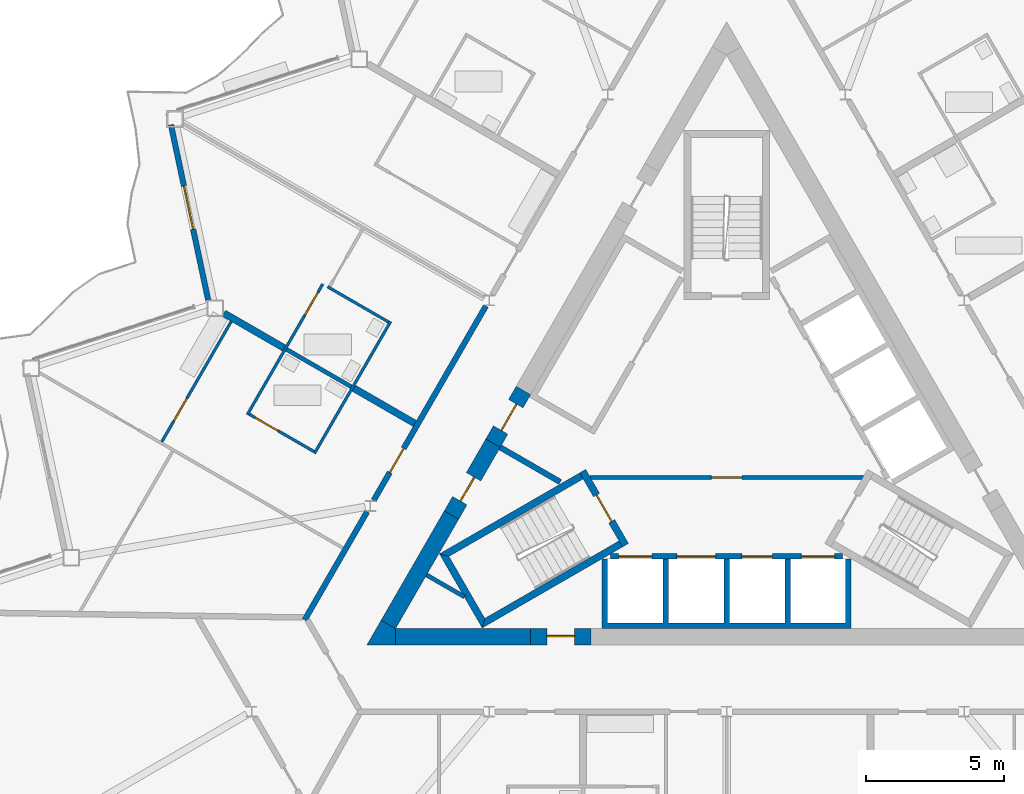
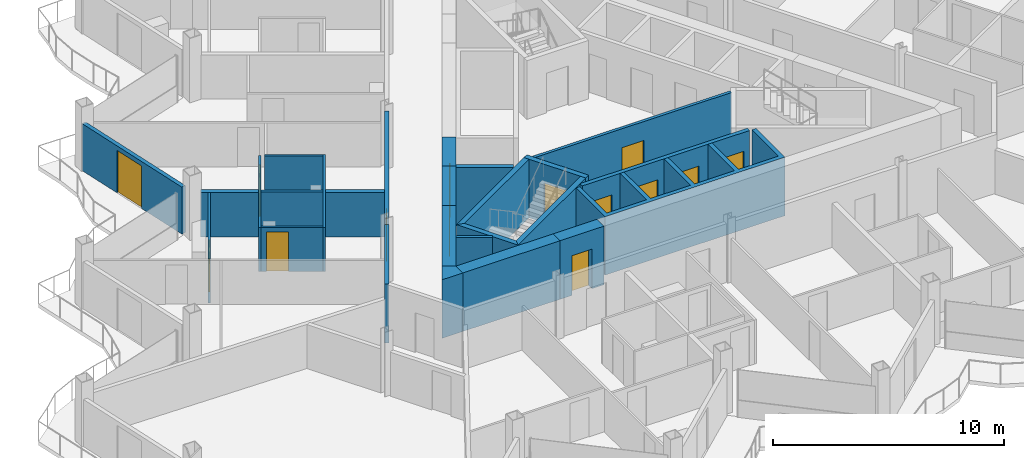
# One storey, part 14 of 26: 26 walls, 14 doors, 14 openings.
"""IFC4 building model written with IfcOpenShell, lengths in metres."""

from ifc_helpers import new_model, si_unit, direction, frame, frame_2d, origin, place, context, subcontext, project, spatial, polyline, rectangle, outline, extrude, material, layer, layer_set, type_object, element, fill, save


model = new_model("IFC4")

# Units and contexts
model_context = context("Model", 3, precision=1e-05, world=origin(), true_north=direction((0.0, 1.0)))
body_context = subcontext(model_context, "Body", "Model", "MODEL_VIEW")
ifc_project = project(units=[si_unit("LENGTHUNIT", "METRE"), si_unit("AREAUNIT", "SQUARE_METRE"), si_unit("VOLUMEUNIT", "CUBIC_METRE"), si_unit("PLANEANGLEUNIT", "RADIAN"), si_unit("MASSUNIT", "GRAM", prefix="KILO")], contexts=[model_context])

# Site, building, storey
site_placement = place(None, origin())
site = spatial("IfcSite", under=ifc_project, at=site_placement, CompositionType="ELEMENT")
building_placement = place(site_placement, origin())
building = spatial("IfcBuilding", under=site, at=building_placement, Name="Cormorant Prow Tower", CompositionType="ELEMENT")
storey_placement = place(building_placement, frame((0.0, 0.0, 329.0)))
storey = spatial("IfcBuildingStorey", under=building, at=storey_placement, Name="L73", CompositionType="ELEMENT", Elevation=329.0)

# Wall, opening, door
ifc_material_1 = material(Name="Gypsum board partition")
ifc_layer_1 = layer(ifc_material_1, 0.14990234375)
ifc_layer_set_1 = layer_set([ifc_layer_1], Name="Gypsum board partition")
wall_type_1 = type_object("IfcWallType", Name="Core partition 150", PredefinedType="PARTITIONING", material=ifc_layer_set_1)
wall_1_placement = place(storey_placement, frame((-4.941162109375, -1.449951171875, 0.0), z_axis=(0.0, 0.0, 1.0), x_axis=(1.0, 0.0, 0.0)))
wall_1 = element("IfcWall", 1, at=wall_1_placement, inside=storey, type_object=wall_type_1, Name="Firefighting lobby partition", PredefinedType="PARTITIONING", context=body_context, shape_type="SweptSolid", body=[
    extrude(rectangle(XDim=9.88232421875, YDim=0.14990234375, at=frame_2d((4.941162109375, 0.0))), origin(), (0.0, 0.0, 1.0), 3.10009765625),
])
opening_1_placement = place(wall_1_placement, frame((4.39111328125, 0.0, 0.0)))
opening_1 = element("IfcOpeningElement", 2, at=opening_1_placement, cuts=wall_1, Name="Opening L73-C10", PredefinedType="OPENING", context=body_context, shape_type="SweptSolid", body=[
    extrude(rectangle(XDim=1.10009765625, YDim=2.10009765625, at=frame_2d((0.550048828125, 1.050048828125))), frame((0.0, 0.0849609375, 0.0), z_axis=(0.0, -1.0, 0.0), x_axis=(1.0, 0.0, 0.0)), (0.0, 0.0, 1.0), 0.169921875),
])
ifc_material_2 = material(Name="Painted steel", Category="steel")
door_type_1 = type_object("IfcDoorType", Name="Firefighting lobby door 1100x2100", OperationType="NOTDEFINED", PredefinedType="DOOR", material=ifc_material_2)
door_1_placement = place(opening_1_placement, origin())
door_1 = element("IfcDoor", 3, at=door_1_placement, inside=storey, type_object=door_type_1, Name="Firefighting lobby door", OperationType="SINGLE_SWING_LEFT", OverallHeight=2.10009765625, OverallWidth=1.10009765625, PredefinedType="DOOR", context=body_context, shape_type="SweptSolid", body=[
    extrude(rectangle(XDim=1.10009765625, YDim=2.10009765625, at=frame_2d((0.550048828125, 1.050048828125))), frame((0.0, 0.02490234375, 0.0), z_axis=(0.0, -1.0, 0.0), x_axis=(1.0, 0.0, 0.0)), (0.0, 0.0, 1.0), 0.050048828125),
])
fill(opening_1, door_1)

# Walls
wall_2_placement = place(storey_placement, frame((-10.841796875, -4.96728515625, 0.0), z_axis=(0.0, 0.0, 1.0), x_axis=(0.866098216386, -0.499873863663, 0.0)))
element("IfcWall", 4, at=wall_2_placement, inside=storey, type_object=wall_type_1, Name="Service room partition", PredefinedType="PARTITIONING", context=body_context, shape_type="SweptSolid", body=[
    extrude(rectangle(XDim=1.58203125, YDim=0.14990234375, at=frame_2d((0.791015625, 0.0))), origin(), (0.0, 0.0, 1.0), 3.10009765625),
])
ifc_material_3 = material(Name="Concrete 8000 psi", Category="concrete")
ifc_layer_2 = layer(ifc_material_3, 0.60009765625)
ifc_layer_set_2 = layer_set([ifc_layer_2], Name="Concrete 8000 psi")
wall_type_2 = type_object("IfcWallType", Name="Core shear wall 600", PredefinedType="SHEAR", material=ifc_layer_set_2)
wall_3_placement = place(storey_placement, frame((-11.960693359375, -7.20556640625, 0.0), z_axis=(0.0, 0.0, 1.0), x_axis=(1.0, 0.0, 0.0)))
element("IfcWall", 5, at=wall_3_placement, inside=storey, type_object=wall_type_2, Name="Core wall", PredefinedType="SHEAR", context=body_context, shape_type="SweptSolid", body=[
    extrude(rectangle(XDim=4.868408203125, YDim=0.60009765625, at=frame_2d((2.43408203125, 0.0))), origin(), (0.0, 0.0, 1.0), 3.10009765625),
])
wall_4_placement = place(storey_placement, frame((-9.94091796875, -2.80712890625, 0.0), z_axis=(0.0, 0.0, 1.0), x_axis=(-0.500020646047, -0.866013483456, 0.0)))
element("IfcWall", 6, at=wall_4_placement, inside=storey, type_object=wall_type_2, Name="Core wall", PredefinedType="SHEAR", context=body_context, shape_type="SweptSolid", body=[
    extrude(rectangle(XDim=4.559326171875, YDim=0.60009765625, at=frame_2d((2.27978515625, 0.0))), origin(), (0.0, 0.0, 1.0), 3.10009765625),
])
wall_5_placement = place(storey_placement, origin())
element("IfcWall", 7, at=wall_5_placement, inside=storey, type_object=wall_type_2, Name="Core wall corner", PredefinedType="SHEAR", context=body_context, shape_type="SweptSolid", body=[
    extrude(outline(polyline([(-12.48046875, -6.605712890625), (-11.960693359375, -6.905517578125), (-11.960693359375, -7.505615234375), (-13.0, -7.505615234375), (-12.48046875, -6.605712890625)])), origin(), (0.0, 0.0, 1.0), 3.10009765625),
])

# Wall, opening, door
wall_6_placement = place(storey_placement, frame((-7.09228515625, -7.20556640625, 0.0), z_axis=(0.0, 0.0, 1.0), x_axis=(1.0, 0.0, 0.0)))
wall_6 = element("IfcWall", 8, at=wall_6_placement, inside=storey, type_object=wall_type_2, Name="Core wall door panel", PredefinedType="SHEAR", context=body_context, shape_type="SweptSolid", body=[
    extrude(rectangle(XDim=2.2001953125, YDim=0.60009765625, at=frame_2d((1.10009765625, 0.0))), origin(), (0.0, 0.0, 1.0), 3.10009765625),
])
opening_2_placement = place(wall_6_placement, frame((0.60009765625, 0.0, 0.0)))
opening_2 = element("IfcOpeningElement", 9, at=opening_2_placement, cuts=wall_6, Name="Opening L73-C14", PredefinedType="OPENING", context=body_context, shape_type="SweptSolid", body=[
    extrude(rectangle(XDim=1.0, YDim=2.10009765625, at=frame_2d((0.5, 1.050048828125))), frame((0.0, 0.31005859375, 0.0), z_axis=(0.0, -1.0, 0.0), x_axis=(1.0, 0.0, 0.0)), (0.0, 0.0, 1.0), 0.6201171875),
])
ifc_material_4 = material(Name="Painted steel", Category="steel")
door_type_2 = type_object("IfcDoorType", Name="Service door 1000x2100", OperationType="NOTDEFINED", PredefinedType="DOOR", material=ifc_material_4)
door_2_placement = place(opening_2_placement, origin())
door_2 = element("IfcDoor", 10, at=door_2_placement, inside=storey, type_object=door_type_2, Name="Core door, Housekeeping store", OperationType="SINGLE_SWING_LEFT", OverallHeight=2.10009765625, OverallWidth=1.0, PredefinedType="DOOR", context=body_context, shape_type="SweptSolid", body=[
    extrude(rectangle(XDim=1.0, YDim=2.10009765625, at=frame_2d((0.5, 1.050048828125))), frame((0.0, 0.05517578125, 0.0), z_axis=(0.0, -1.0, 0.0), x_axis=(1.0, 0.0, 0.0)), (0.0, 0.0, 1.0), 0.050048828125),
])
fill(opening_2, door_2)

wall_7_placement = place(storey_placement, frame((-8.440185546875, -0.207763671875, 0.0), z_axis=(0.0, 0.0, 1.0), x_axis=(-0.499997052475, -0.866027105532, 0.0)))
wall_7 = element("IfcWall", 11, at=wall_7_placement, inside=storey, type_object=wall_type_2, Name="Core wall door panel", PredefinedType="SHEAR", context=body_context, shape_type="SweptSolid", body=[
    extrude(rectangle(XDim=3.00146484375, YDim=0.60009765625, at=frame_2d((1.500732421875, 0.0))), origin(), (0.0, 0.0, 1.0), 3.10009765625),
])
opening_3_placement = place(wall_7_placement, frame((1.39990234375, 0.0, 0.0)))
opening_3 = element("IfcOpeningElement", 12, at=opening_3_placement, cuts=wall_7, Name="Opening L73-C16", PredefinedType="OPENING", context=body_context, shape_type="SweptSolid", body=[
    extrude(rectangle(XDim=1.0, YDim=2.10009765625, at=frame_2d((0.5, 1.050048828125))), frame((0.0, 0.31005859375, 0.0), z_axis=(0.0, -1.0, 0.0), x_axis=(1.0, 0.0, 0.0)), (0.0, 0.0, 1.0), 0.6201171875),
])
door_3_placement = place(opening_3_placement, origin())
door_3 = element("IfcDoor", 13, at=door_3_placement, inside=storey, type_object=door_type_2, Name="Core door, Linen store", OperationType="SINGLE_SWING_RIGHT", OverallHeight=2.10009765625, OverallWidth=1.0, PredefinedType="DOOR", context=body_context, shape_type="SweptSolid", body=[
    extrude(rectangle(XDim=1.0, YDim=2.10009765625, at=frame_2d((0.5, 1.050048828125))), frame((0.0, 0.05517578125, 0.0), z_axis=(0.0, -1.0, 0.0), x_axis=(1.0, 0.0, 0.0)), (0.0, 0.0, 1.0), 0.050048828125),
])
fill(opening_3, door_3)

wall_8_placement = place(storey_placement, frame((-7.340087890625, 1.697509765625, 0.0), z_axis=(0.0, 0.0, 1.0), x_axis=(-0.50002983664, -0.866008176907, 0.0)))
wall_8 = element("IfcWall", 14, at=wall_8_placement, inside=storey, type_object=wall_type_2, Name="Core wall door panel", PredefinedType="SHEAR", context=body_context, shape_type="SweptSolid", body=[
    extrude(rectangle(XDim=2.199951171875, YDim=0.60009765625, at=frame_2d((1.10009765625, 0.0))), origin(), (0.0, 0.0, 1.0), 3.10009765625),
])
opening_4_placement = place(wall_8_placement, frame((0.550048828125, 0.0, 0.0)))
opening_4 = element("IfcOpeningElement", 15, at=opening_4_placement, cuts=wall_8, Name="Opening L73-C18", PredefinedType="OPENING", context=body_context, shape_type="SweptSolid", body=[
    extrude(rectangle(XDim=1.10009765625, YDim=2.10009765625, at=frame_2d((0.550048828125, 1.050048828125))), frame((0.0, 0.31005859375, 0.0), z_axis=(0.0, -1.0, 0.0), x_axis=(1.0, 0.0, 0.0)), (0.0, 0.0, 1.0), 0.6201171875),
])
ifc_material_5 = material(Name="Painted steel", Category="steel")
door_type_3 = type_object("IfcDoorType", Name="Core door 1100x2100", OperationType="NOTDEFINED", PredefinedType="DOOR", material=ifc_material_5)
door_4_placement = place(opening_4_placement, origin())
door_4 = element("IfcDoor", 16, at=door_4_placement, inside=storey, type_object=door_type_3, Name="Core door, lift lobby", OperationType="SINGLE_SWING_RIGHT", OverallHeight=2.10009765625, OverallWidth=1.10009765625, PredefinedType="DOOR", context=body_context, shape_type="SweptSolid", body=[
    extrude(rectangle(XDim=1.10009765625, YDim=2.10009765625, at=frame_2d((0.550048828125, 1.050048828125))), frame((0.0, 0.05517578125, 0.0), z_axis=(0.0, -1.0, 0.0), x_axis=(1.0, 0.0, 0.0)), (0.0, 0.0, 1.0), 0.050048828125),
])
fill(opening_4, door_4)

ifc_material_6 = material(Name="Gypsum board corridor wall")
ifc_layer_3 = layer(ifc_material_6, 0.199951171875)
ifc_layer_set_3 = layer_set([ifc_layer_3], Name="Gypsum board corridor wall")
wall_type_3 = type_object("IfcWallType", Name="Corridor wall 200", PredefinedType="PARTITIONING", material=ifc_layer_set_3)
wall_9_placement = place(storey_placement, frame((-12.747802734375, -2.268798828125, 0.0), z_axis=(0.0, 0.0, 1.0), x_axis=(0.499984266882, 0.866034487114, 0.0)))
wall_9 = element("IfcWall", 17, at=wall_9_placement, inside=storey, type_object=wall_type_3, Name="Corridor wall", PredefinedType="PARTITIONING", context=body_context, shape_type="SweptSolid", body=[
    extrude(rectangle(XDim=8.098876953125, YDim=0.199951171875, at=frame_2d((4.04931640625, 0.0))), origin(), (0.0, 0.0, 1.0), 3.10009765625),
])
opening_5_placement = place(wall_9_placement, frame((1.16357421875, 0.0, 0.0)))
opening_5 = element("IfcOpeningElement", 18, at=opening_5_placement, cuts=wall_9, Name="Opening L73-F49", PredefinedType="OPENING", context=body_context, shape_type="SweptSolid", body=[
    extrude(rectangle(XDim=1.0, YDim=2.10009765625, at=frame_2d((0.5, 1.050048828125))), frame((0.0, 0.10986328125, 0.0), z_axis=(0.0, -1.0, 0.0), x_axis=(1.0, 0.0, 0.0)), (0.0, 0.0, 1.0), 0.219970703125),
])
ifc_material_7 = material(Name="Timber door leaf", Category="wood")
door_type_4 = type_object("IfcDoorType", Name="Flat or room entrance door 1000x2100", OperationType="NOTDEFINED", PredefinedType="DOOR", material=ifc_material_7)
door_5_placement = place(opening_5_placement, origin())
door_5 = element("IfcDoor", 19, at=door_5_placement, inside=storey, type_object=door_type_4, Name="Living room door", OperationType="SINGLE_SWING_RIGHT", OverallHeight=2.10009765625, OverallWidth=1.0, PredefinedType="DOOR", context=body_context, shape_type="SweptSolid", body=[
    extrude(rectangle(XDim=1.0, YDim=2.10009765625, at=frame_2d((0.5, 1.050048828125))), frame((0.0, 0.02490234375, 0.0), z_axis=(0.0, -1.0, 0.0), x_axis=(1.0, 0.0, 0.0)), (0.0, 0.0, 1.0), 0.050048828125),
])
fill(opening_5, door_5)

# Wall
wall_10_placement = place(storey_placement, frame((-15.243896484375, -6.59228515625, 0.0), z_axis=(0.0, 0.0, 1.0), x_axis=(0.49999094734, 0.866030630277, 0.0)))
element("IfcWall", 20, at=wall_10_placement, inside=storey, type_object=wall_type_3, Name="Corridor wall", PredefinedType="PARTITIONING", context=body_context, shape_type="SweptSolid", body=[
    extrude(rectangle(XDim=4.5126953125, YDim=0.199951171875, at=frame_2d((2.25634765625, 0.0))), origin(), (0.0, 0.0, 1.0), 3.10009765625),
])

# Wall, opening, door
ifc_material_8 = material(Name="Gypsum board partition")
ifc_layer_4 = layer(ifc_material_8, 0.10009765625)
ifc_layer_set_4 = layer_set([ifc_layer_4], Name="Gypsum board partition")
wall_type_4 = type_object("IfcWallType", Name="Internal partition 100", PredefinedType="PARTITIONING", material=ifc_layer_set_4)
wall_11_placement = place(storey_placement, frame((-17.31396484375, 0.822509765625, 0.0), z_axis=(0.0, 0.0, 1.0), x_axis=(0.499988730927, 0.866031909889, 0.0)))
wall_11 = element("IfcWall", 21, at=wall_11_placement, inside=storey, type_object=wall_type_4, Name="Internal partition", PredefinedType="PARTITIONING", context=body_context, shape_type="SweptSolid", body=[
    extrude(rectangle(XDim=5.449951171875, YDim=0.10009765625, at=frame_2d((2.72509765625, 0.0))), origin(), (0.0, 0.0, 1.0), 2.330078125),
])
opening_6_placement = place(wall_11_placement, frame((4.14990234375, 0.0, 0.0)))
opening_6 = element("IfcOpeningElement", 22, at=opening_6_placement, cuts=wall_11, Name="Opening L73-F48", PredefinedType="OPENING", context=body_context, shape_type="SweptSolid", body=[
    extrude(rectangle(XDim=0.949951171875, YDim=2.10009765625, at=frame_2d((0.47509765625, 1.050048828125))), frame((0.0, 0.06005859375, 0.0), z_axis=(0.0, -1.0, 0.0), x_axis=(1.0, 0.0, 0.0)), (0.0, 0.0, 1.0), 0.1201171875),
])
ifc_material_9 = material(Name="Timber door leaf", Category="wood")
door_type_5 = type_object("IfcDoorType", Name="Bathroom door 950x2100", OperationType="NOTDEFINED", PredefinedType="DOOR", material=ifc_material_9)
door_6_placement = place(opening_6_placement, origin())
door_6 = element("IfcDoor", 23, at=door_6_placement, inside=storey, type_object=door_type_5, Name="Bedroom door", OperationType="SINGLE_SWING_RIGHT", OverallHeight=2.10009765625, OverallWidth=0.949951171875, PredefinedType="DOOR", context=body_context, shape_type="SweptSolid", body=[
    extrude(rectangle(XDim=0.949951171875, YDim=2.10009765625, at=frame_2d((0.47509765625, 1.050048828125))), frame((0.0, 0.02490234375, 0.0), z_axis=(0.0, -1.0, 0.0), x_axis=(1.0, 0.0, 0.0)), (0.0, 0.0, 1.0), 0.050048828125),
])
fill(opening_6, door_6)

# Wall
wall_12_placement = place(storey_placement, frame((-14.88916015625, -0.577392578125, 0.0), z_axis=(0.0, 0.0, 1.0), x_axis=(0.500015767406, 0.866016300277, 0.0)))
element("IfcWall", 24, at=wall_12_placement, inside=storey, type_object=wall_type_4, Name="Internal partition", PredefinedType="PARTITIONING", context=body_context, shape_type="SweptSolid", body=[
    extrude(rectangle(XDim=5.499755859375, YDim=0.10009765625, at=frame_2d((2.75, 0.0))), origin(), (0.0, 0.0, 1.0), 2.330078125),
])

# Wall, opening, door
wall_13_placement = place(storey_placement, frame((-20.404541015625, -0.158203125, 0.0), z_axis=(0.0, 0.0, 1.0), x_axis=(0.499989096993, 0.866031698547, 0.0)))
wall_13 = element("IfcWall", 25, at=wall_13_placement, inside=storey, type_object=wall_type_4, Name="Internal partition", PredefinedType="PARTITIONING", context=body_context, shape_type="SweptSolid", body=[
    extrude(rectangle(XDim=5.01953125, YDim=0.10009765625, at=frame_2d((2.509765625, 0.0))), origin(), (0.0, 0.0, 1.0), 2.330078125),
])
opening_7_placement = place(wall_13_placement, frame((0.862060546875, 0.0, 0.0)))
opening_7 = element("IfcOpeningElement", 26, at=opening_7_placement, cuts=wall_13, Name="Opening L73-F51", PredefinedType="OPENING", context=body_context, shape_type="SweptSolid", body=[
    extrude(rectangle(XDim=0.949951171875, YDim=2.10009765625, at=frame_2d((0.47509765625, 1.050048828125))), frame((0.0, 0.06005859375, 0.0), z_axis=(0.0, -1.0, 0.0), x_axis=(1.0, 0.0, 0.0)), (0.0, 0.0, 1.0), 0.1201171875),
])
door_7_placement = place(opening_7_placement, origin())
door_7 = element("IfcDoor", 27, at=door_7_placement, inside=storey, type_object=door_type_5, Name="Living room door", OperationType="SINGLE_SWING_LEFT", OverallHeight=2.10009765625, OverallWidth=0.949951171875, PredefinedType="DOOR", context=body_context, shape_type="SweptSolid", body=[
    extrude(rectangle(XDim=0.949951171875, YDim=2.10009765625, at=frame_2d((0.47509765625, 1.050048828125))), frame((0.0, 0.02490234375, 0.0), z_axis=(0.0, -1.0, 0.0), x_axis=(1.0, 0.0, 0.0)), (0.0, 0.0, 1.0), 0.050048828125),
])
fill(opening_7, door_7)

wall_14_placement = place(storey_placement, frame((-17.24560546875, 0.8408203125, 0.0), z_axis=(0.0, 0.0, 1.0), x_axis=(0.86599734893, -0.500048589285, 0.0)))
wall_14 = element("IfcWall", 28, at=wall_14_placement, inside=storey, type_object=wall_type_4, Name="Internal partition", PredefinedType="PARTITIONING", context=body_context, shape_type="SweptSolid", body=[
    extrude(rectangle(XDim=2.699951171875, YDim=0.10009765625, at=frame_2d((1.35009765625, 0.0))), origin(), (0.0, 0.0, 1.0), 2.330078125),
])
opening_8_placement = place(wall_14_placement, frame((0.25, 0.0, 0.0)))
opening_8 = element("IfcOpeningElement", 29, at=opening_8_placement, cuts=wall_14, Name="Opening L73-F50", PredefinedType="OPENING", context=body_context, shape_type="SweptSolid", body=[
    extrude(rectangle(XDim=0.949951171875, YDim=2.10009765625, at=frame_2d((0.47509765625, 1.050048828125))), frame((0.0, 0.06005859375, 0.0), z_axis=(0.0, -1.0, 0.0), x_axis=(1.0, 0.0, 0.0)), (0.0, 0.0, 1.0), 0.1201171875),
])
door_8_placement = place(opening_8_placement, origin())
door_8 = element("IfcDoor", 30, at=door_8_placement, inside=storey, type_object=door_type_5, Name="Living room door", OperationType="SINGLE_SWING_LEFT", OverallHeight=2.10009765625, OverallWidth=0.949951171875, PredefinedType="DOOR", context=body_context, shape_type="SweptSolid", body=[
    extrude(rectangle(XDim=0.949951171875, YDim=2.10009765625, at=frame_2d((0.47509765625, 1.050048828125))), frame((0.0, 0.02490234375, 0.0), z_axis=(0.0, -1.0, 0.0), x_axis=(1.0, 0.0, 0.0)), (0.0, 0.0, 1.0), 0.050048828125),
])
fill(opening_8, door_8)

# Wall
wall_15_placement = place(storey_placement, frame((-14.41748046875, 5.443359375, 0.0), z_axis=(0.0, 0.0, 1.0), x_axis=(0.865991210529, -0.500059219779, 0.0)))
element("IfcWall", 31, at=wall_15_placement, inside=storey, type_object=wall_type_4, Name="Internal partition", PredefinedType="PARTITIONING", context=body_context, shape_type="SweptSolid", body=[
    extrude(rectangle(XDim=2.552001953125, YDim=0.10009765625, at=frame_2d((1.27587890625, 0.0))), origin(), (0.0, 0.0, 1.0), 2.330078125),
])

# Wall, openings, doors
ifc_material_10 = material(Name="Concrete 5000 psi", Category="concrete")
ifc_layer_5 = layer(ifc_material_10, 0.199951171875)
ifc_layer_set_5 = layer_set([ifc_layer_5], Name="Concrete 5000 psi")
wall_type_5 = type_object("IfcWallType", Name="Lift lobby wall 200", PredefinedType="SOLIDWALL", material=ifc_layer_set_5)
wall_16_placement = place(storey_placement, frame((-4.1865234375, -4.300048828125, 0.0), z_axis=(0.0, 0.0, 1.0), x_axis=(1.0, 0.0, 0.0)))
wall_16 = element("IfcWall", 32, at=wall_16_placement, inside=storey, type_object=wall_type_5, Name="Lift lobby wall, S block", PredefinedType="SOLIDWALL", context=body_context, shape_type="SweptSolid", body=[
    extrude(rectangle(XDim=8.373046875, YDim=0.199951171875, at=frame_2d((4.1865234375, 0.0))), origin(), (0.0, 0.0, 1.0), 3.10009765625),
])
opening_9_placement = place(wall_16_placement, frame((0.28662109375, 0.0, 0.0)))
opening_9 = element("IfcOpeningElement", 33, at=opening_9_placement, cuts=wall_16, Name="Opening L73-C01", PredefinedType="OPENING", context=body_context, shape_type="SweptSolid", body=[
    extrude(rectangle(XDim=1.199951171875, YDim=2.10009765625, at=frame_2d((0.60009765625, 1.050048828125))), frame((0.0, 0.10986328125, 0.0), z_axis=(0.0, -1.0, 0.0), x_axis=(1.0, 0.0, 0.0)), (0.0, 0.0, 1.0), 0.219970703125),
])
opening_10_placement = place(wall_16_placement, frame((2.38671875, 0.0, 0.0)))
opening_10 = element("IfcOpeningElement", 34, at=opening_10_placement, cuts=wall_16, Name="Opening L73-C02", PredefinedType="OPENING", context=body_context, shape_type="SweptSolid", body=[
    extrude(rectangle(XDim=1.39990234375, YDim=2.10009765625, at=frame_2d((0.699951171875, 1.050048828125))), frame((0.0, 0.10986328125, 0.0), z_axis=(0.0, -1.0, 0.0), x_axis=(1.0, 0.0, 0.0)), (0.0, 0.0, 1.0), 0.219970703125),
])
opening_11_placement = place(wall_16_placement, frame((4.736572265625, 0.0, 0.0)))
opening_11 = element("IfcOpeningElement", 35, at=opening_11_placement, cuts=wall_16, Name="Opening L73-C03", PredefinedType="OPENING", context=body_context, shape_type="SweptSolid", body=[
    extrude(rectangle(XDim=1.10009765625, YDim=2.10009765625, at=frame_2d((0.550048828125, 1.050048828125))), frame((0.0, 0.10986328125, 0.0), z_axis=(0.0, -1.0, 0.0), x_axis=(1.0, 0.0, 0.0)), (0.0, 0.0, 1.0), 0.219970703125),
])
opening_12_placement = place(wall_16_placement, frame((6.88671875, 0.0, 0.0)))
opening_12 = element("IfcOpeningElement", 36, at=opening_12_placement, cuts=wall_16, Name="Opening L73-C04", PredefinedType="OPENING", context=body_context, shape_type="SweptSolid", body=[
    extrude(rectangle(XDim=1.199951171875, YDim=2.10009765625, at=frame_2d((0.60009765625, 1.050048828125))), frame((0.0, 0.10986328125, 0.0), z_axis=(0.0, -1.0, 0.0), x_axis=(1.0, 0.0, 0.0)), (0.0, 0.0, 1.0), 0.219970703125),
])
ifc_material_11 = material(Name="Painted steel", Category="steel")
door_type_6 = type_object("IfcDoorType", Name="Firefighting lift landing door 1200x2100", OperationType="SLIDING_TO_LEFT", PredefinedType="DOOR", material=ifc_material_11)
door_9_placement = place(opening_9_placement, origin())
door_9 = element("IfcDoor", 37, at=door_9_placement, inside=storey, type_object=door_type_6, Name="Landing door FL1", OperationType="SLIDING_TO_LEFT", OverallHeight=2.10009765625, OverallWidth=1.199951171875, PredefinedType="DOOR", context=body_context, shape_type="SweptSolid", body=[
    extrude(rectangle(XDim=1.199951171875, YDim=2.10009765625, at=frame_2d((0.60009765625, 1.050048828125))), frame((0.0, 0.02490234375, 0.0), z_axis=(0.0, -1.0, 0.0), x_axis=(1.0, 0.0, 0.0)), (0.0, 0.0, 1.0), 0.050048828125),
])
fill(opening_9, door_9)
door_10_placement = place(opening_12_placement, origin())
door_10 = element("IfcDoor", 38, at=door_10_placement, inside=storey, type_object=door_type_6, Name="Landing door FL2", OperationType="SLIDING_TO_LEFT", OverallHeight=2.10009765625, OverallWidth=1.199951171875, PredefinedType="DOOR", context=body_context, shape_type="SweptSolid", body=[
    extrude(rectangle(XDim=1.199951171875, YDim=2.10009765625, at=frame_2d((0.60009765625, 1.050048828125))), frame((0.0, 0.02490234375, 0.0), z_axis=(0.0, -1.0, 0.0), x_axis=(1.0, 0.0, 0.0)), (0.0, 0.0, 1.0), 0.050048828125),
])
fill(opening_12, door_10)
ifc_material_12 = material(Name="Painted steel", Category="steel")
door_type_7 = type_object("IfcDoorType", Name="Lift landing door 1100x2100", OperationType="SLIDING_TO_LEFT", PredefinedType="DOOR", material=ifc_material_12)
door_11_placement = place(opening_11_placement, origin())
door_11 = element("IfcDoor", 39, at=door_11_placement, inside=storey, type_object=door_type_7, Name="Landing door HR1", OperationType="SLIDING_TO_LEFT", OverallHeight=2.10009765625, OverallWidth=1.10009765625, PredefinedType="DOOR", context=body_context, shape_type="SweptSolid", body=[
    extrude(rectangle(XDim=1.10009765625, YDim=2.10009765625, at=frame_2d((0.550048828125, 1.050048828125))), frame((0.0, 0.02490234375, 0.0), z_axis=(0.0, -1.0, 0.0), x_axis=(1.0, 0.0, 0.0)), (0.0, 0.0, 1.0), 0.050048828125),
])
fill(opening_11, door_11)
ifc_material_13 = material(Name="Painted steel", Category="steel")
door_type_8 = type_object("IfcDoorType", Name="Service lift landing door 1400x2100", OperationType="SLIDING_TO_LEFT", PredefinedType="DOOR", material=ifc_material_13)
door_12_placement = place(opening_10_placement, origin())
door_12 = element("IfcDoor", 40, at=door_12_placement, inside=storey, type_object=door_type_8, Name="Landing door SL1", OperationType="SLIDING_TO_LEFT", OverallHeight=2.10009765625, OverallWidth=1.39990234375, PredefinedType="DOOR", context=body_context, shape_type="SweptSolid", body=[
    extrude(rectangle(XDim=1.39990234375, YDim=2.10009765625, at=frame_2d((0.699951171875, 1.050048828125))), frame((0.0, 0.02490234375, 0.0), z_axis=(0.0, -1.0, 0.0), x_axis=(1.0, 0.0, 0.0)), (0.0, 0.0, 1.0), 0.050048828125),
])
fill(opening_10, door_12)

# Walls
ifc_material_14 = material(Name="Concrete 8000 psi", Category="concrete")
ifc_layer_6 = layer(ifc_material_14, 0.199951171875)
ifc_layer_set_6 = layer_set([ifc_layer_6], Name="Concrete 8000 psi")
wall_type_6 = type_object("IfcWallType", Name="Lift shaft wall 200", PredefinedType="SHEAR", material=ifc_layer_set_6)
wall_17_placement = place(storey_placement, origin())
element("IfcWall", 41, at=wall_17_placement, inside=storey, type_object=wall_type_6, Name="Lift shaft walls, S block", PredefinedType="SHEAR", context=body_context, shape_type="SweptSolid", body=[
    extrude(outline(polyline([(4.5, -4.39990234375), (4.5, -6.906005859375), (-4.5, -6.906005859375), (-4.5, -4.39990234375), (-4.300048828125, -4.39990234375), (-4.300048828125, -6.699951171875), (-2.300048828125, -6.699951171875), (-2.300048828125, -4.39990234375), (-2.10009765625, -4.39990234375), (-2.10009765625, -6.699951171875), (-0.10009765625, -6.699951171875), (-0.10009765625, -4.39990234375), (0.10009765625, -4.39990234375), (0.10009765625, -6.699951171875), (2.10009765625, -6.699951171875), (2.10009765625, -4.39990234375), (2.300048828125, -4.39990234375), (2.300048828125, -6.699951171875), (4.300048828125, -6.699951171875), (4.300048828125, -4.39990234375), (4.5, -4.39990234375)])), origin(), (0.0, 0.0, 1.0), 3.10009765625),
])
wall_18_placement = place(storey_placement, origin())
element("IfcWall", 42, at=wall_18_placement, inside=storey, type_object=wall_type_6, Name="Lift shaft walls, WNW block", PredefinedType="SHEAR", context=body_context, shape_type="SweptSolid", body=[
    extrude(outline(polyline([(-6.060546875, -1.697021484375), (-8.230712890625, -0.444091796875), (-8.130859375, -0.27099609375), (-5.96044921875, -1.52392578125), (-6.060546875, -1.697021484375)])), origin(), (0.0, 0.0, 1.0), 3.10009765625),
])
ifc_material_15 = material(Name="Concrete 8000 psi", Category="concrete")
ifc_layer_7 = layer(ifc_material_15, 0.25)
ifc_layer_set_7 = layer_set([ifc_layer_7], Name="Concrete 8000 psi")
wall_type_7 = type_object("IfcWallType", Name="Stair wall 250", PredefinedType="SHEAR", material=ifc_layer_set_7)
wall_19_placement = place(storey_placement, origin())
element("IfcWall", 43, at=wall_19_placement, inside=storey, type_object=wall_type_7, Name="Stair ST1 enclosure wall (flank)", PredefinedType="SHEAR", context=body_context, shape_type="SweptSolid", body=[
    extrude(outline(polyline([(-5.30712890625, -1.28125), (-10.37353515625, -4.206298828125), (-10.031982421875, -4.2978515625), (-5.18212890625, -1.497802734375), (-5.30712890625, -1.28125)])), origin(), (0.0, 0.0, 1.0), 3.10009765625),
])
wall_20_placement = place(storey_placement, origin())
element("IfcWall", 44, at=wall_20_placement, inside=storey, type_object=wall_type_7, Name="Stair ST1 enclosure wall (end)", PredefinedType="SHEAR", context=body_context, shape_type="SweptSolid", body=[
    extrude(outline(polyline([(-10.37353515625, -4.206298828125), (-8.82958984375, -6.880615234375), (-8.738037109375, -6.5390625), (-10.031982421875, -4.2978515625), (-10.37353515625, -4.206298828125)])), origin(), (0.0, 0.0, 1.0), 3.10009765625),
])
wall_21_placement = place(storey_placement, origin())
element("IfcWall", 45, at=wall_21_placement, inside=storey, type_object=wall_type_7, Name="Stair ST1 enclosure wall (flank)", PredefinedType="SHEAR", context=body_context, shape_type="SweptSolid", body=[
    extrude(outline(polyline([(-8.738037109375, -6.5390625), (-8.82958984375, -6.880615234375), (-3.76318359375, -3.95556640625), (-3.88818359375, -3.739013671875), (-8.738037109375, -6.5390625)])), origin(), (0.0, 0.0, 1.0), 3.10009765625),
])

# Wall, opening, door
wall_22_placement = place(storey_placement, frame((-5.198974609375, -1.21875, 0.0), z_axis=(0.0, 0.0, 1.0), x_axis=(0.499982516597, -0.866035497597, 0.0)))
wall_22 = element("IfcWall", 46, at=wall_22_placement, inside=storey, type_object=wall_type_7, Name="Stair ST1 door wall", PredefinedType="SHEAR", context=body_context, shape_type="SweptSolid", body=[
    extrude(rectangle(XDim=3.087890625, YDim=0.25, at=frame_2d((1.5439453125, 0.0))), origin(), (0.0, 0.0, 1.0), 3.10009765625),
])
opening_13_placement = place(wall_22_placement, frame((0.993896484375, 0.0, 0.0)))
opening_13 = element("IfcOpeningElement", 47, at=opening_13_placement, cuts=wall_22, Name="Opening L73-C11", PredefinedType="OPENING", context=body_context, shape_type="SweptSolid", body=[
    extrude(rectangle(XDim=1.10009765625, YDim=2.10009765625, at=frame_2d((0.550048828125, 1.050048828125))), frame((0.0, 0.135009765625, 0.0), z_axis=(0.0, -1.0, 0.0), x_axis=(1.0, 0.0, 0.0)), (0.0, 0.0, 1.0), 0.27001953125),
])
ifc_material_16 = material(Name="Painted steel", Category="steel")
door_type_9 = type_object("IfcDoorType", Name="Stair door 1100x2100", OperationType="NOTDEFINED", PredefinedType="DOOR", material=ifc_material_16)
door_13_placement = place(opening_13_placement, origin())
door_13 = element("IfcDoor", 48, at=door_13_placement, inside=storey, type_object=door_type_9, Name="Stair ST1 door", OperationType="SINGLE_SWING_LEFT", OverallHeight=2.10009765625, OverallWidth=1.10009765625, PredefinedType="DOOR", context=body_context, shape_type="SweptSolid", body=[
    extrude(rectangle(XDim=1.10009765625, YDim=2.10009765625, at=frame_2d((0.550048828125, 1.050048828125))), frame((0.0, 0.02490234375, 0.0), z_axis=(0.0, -1.0, 0.0), x_axis=(1.0, 0.0, 0.0)), (0.0, 0.0, 1.0), 0.050048828125),
])
fill(opening_13, door_13)

# Walls
ifc_material_17 = material(Name="Acoustic gypsum party wall")
ifc_layer_8 = layer(ifc_material_17, 0.25)
ifc_layer_set_8 = layer_set([ifc_layer_8], Name="Acoustic gypsum party wall")
wall_type_8 = type_object("IfcWallType", Name="Suite party wall 250", PredefinedType="PARTITIONING", material=ifc_layer_set_8)
wall_23_placement = place(storey_placement, frame((-13.470703125, 1.779052734375, 0.0), z_axis=(0.0, 0.0, 1.0), x_axis=(0.865989465428, -0.500062241894, 0.0)))
element("IfcWall", 49, at=wall_23_placement, inside=storey, type_object=wall_type_8, Name="Suite party wall", PredefinedType="PARTITIONING", context=body_context, shape_type="SweptSolid", body=[
    extrude(rectangle(XDim=2.550048828125, YDim=0.25, at=frame_2d((1.27490234375, 0.0))), origin(), (0.0, 0.0, 1.0), 2.330078125),
])
wall_24_placement = place(storey_placement, frame((-18.160888671875, 4.48681640625, 0.0), z_axis=(0.0, 0.0, 1.0), x_axis=(0.866012646713, -0.500022095245, 0.0)))
element("IfcWall", 50, at=wall_24_placement, inside=storey, type_object=wall_type_8, Name="Suite party wall", PredefinedType="PARTITIONING", context=body_context, shape_type="SweptSolid", body=[
    extrude(rectangle(XDim=2.515625, YDim=0.25, at=frame_2d((1.2578125, 0.0))), origin(), (0.0, 0.0, 1.0), 2.330078125),
])

# Wall, opening, door
ifc_material_18 = material(Name="Terracotta", Category="masonry")
ifc_layer_9 = layer(ifc_material_18, 0.199951171875)
ifc_layer_set_9 = layer_set([ifc_layer_9], Name="Terracotta")
wall_type_9 = type_object("IfcWallType", Name="Terracotta jamb wall 200", PredefinedType="SOLIDWALL", material=ifc_layer_set_9)
wall_25_placement = place(storey_placement, frame((-20.072998046875, 11.2939453125, 0.0), z_axis=(0.0, 0.0, 1.0), x_axis=(0.207893978909, -0.978151365349, 0.0)))
wall_25 = element("IfcWall", 51, at=wall_25_placement, inside=storey, type_object=wall_type_9, Name="Terracotta jamb wall WNW05", PredefinedType="SOLIDWALL", context=body_context, shape_type="SweptSolid", body=[
    extrude(rectangle(XDim=6.466064453125, YDim=0.199951171875, at=frame_2d((3.23291015625, 0.0))), origin(), (0.0, 0.0, 1.0), 2.48779296875),
])
opening_14_placement = place(wall_25_placement, frame((2.260986328125, 0.0, 0.0)))
opening_14 = element("IfcOpeningElement", 52, at=opening_14_placement, cuts=wall_25, Name="Opening ED73.13", PredefinedType="OPENING", context=body_context, shape_type="SweptSolid", body=[
    extrude(rectangle(XDim=1.60009765625, YDim=2.25, at=frame_2d((0.800048828125, 1.125))), frame((0.0, 0.10986328125, 0.0), z_axis=(0.0, -1.0, 0.0), x_axis=(1.0, 0.0, 0.0)), (0.0, 0.0, 1.0), 0.219970703125),
])
ifc_material_19 = material(Name="Aluminium 6063-T6", Category="aluminium")
door_type_10 = type_object("IfcDoorType", Name="Balcony door 1600x2250", OperationType="DOUBLE_DOOR_SINGLE_SWING", PredefinedType="DOOR", material=ifc_material_19)
door_14_placement = place(opening_14_placement, origin())
door_14 = element("IfcDoor", 53, at=door_14_placement, inside=storey, type_object=door_type_10, Name="Balcony door WNW05 ED73.13", OperationType="DOUBLE_DOOR_SINGLE_SWING", OverallHeight=2.25, OverallWidth=1.60009765625, PredefinedType="DOOR", context=body_context, shape_type="SweptSolid", body=[
    extrude(rectangle(XDim=1.60009765625, YDim=2.25, at=frame_2d((0.800048828125, 1.125))), frame((0.0, 0.02490234375, 0.0), z_axis=(0.0, -1.0, 0.0), x_axis=(1.0, 0.0, 0.0)), (0.0, 0.0, 1.0), 0.050048828125),
])
fill(opening_14, door_14)

# Wall
ifc_material_20 = material(Name="Plasterboard wet wall with pipe chase")
ifc_layer_10 = layer(ifc_material_20, 0.14990234375)
ifc_layer_set_10 = layer_set([ifc_layer_10], Name="Plasterboard wet wall with pipe chase")
wall_type_10 = type_object("IfcWallType", Name="Wet wall 150", PredefinedType="PLUMBINGWALL", material=ifc_layer_set_10)
wall_26_placement = place(storey_placement, frame((-15.895751953125, 3.178955078125, 0.0), z_axis=(0.0, 0.0, 1.0), x_axis=(0.866059108428, -0.4999416173, 0.0)))
element("IfcWall", 54, at=wall_26_placement, inside=storey, type_object=wall_type_10, Name="Wet wall", PredefinedType="PLUMBINGWALL", context=body_context, shape_type="SweptSolid", body=[
    extrude(rectangle(XDim=2.699951171875, YDim=0.14990234375, at=frame_2d((1.35009765625, 0.0))), origin(), (0.0, 0.0, 1.0), 2.330078125),
])

save(model, "model.ifc")
